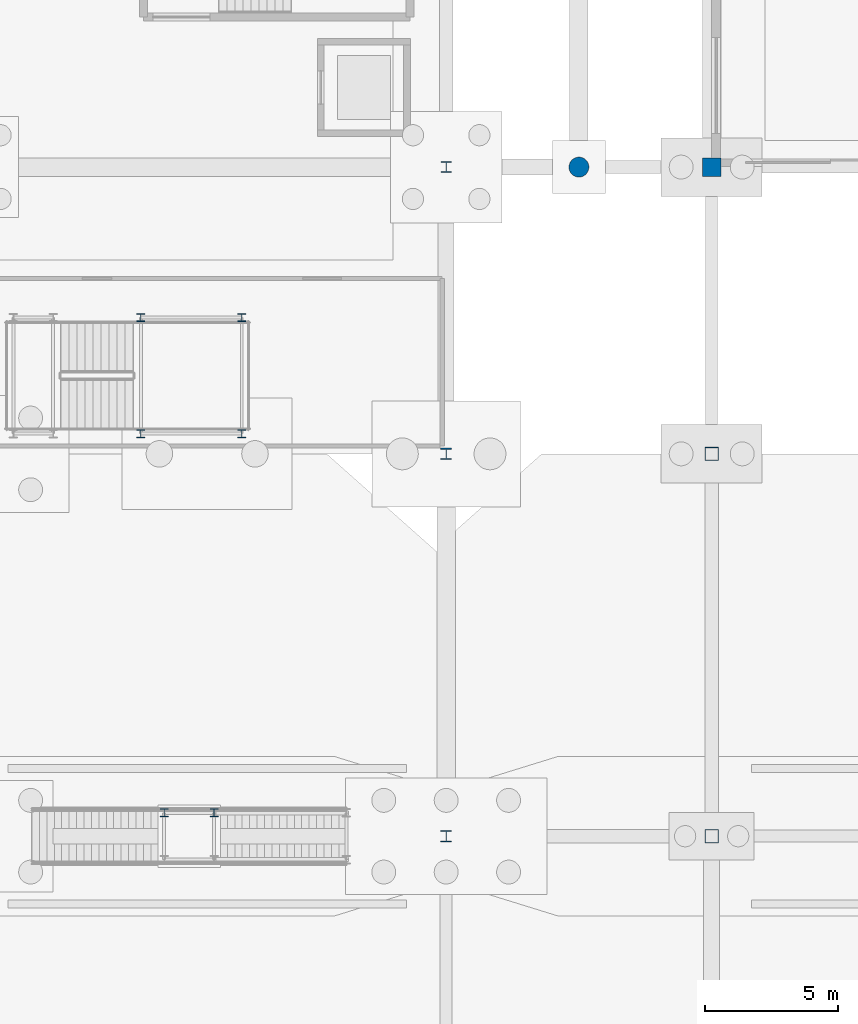
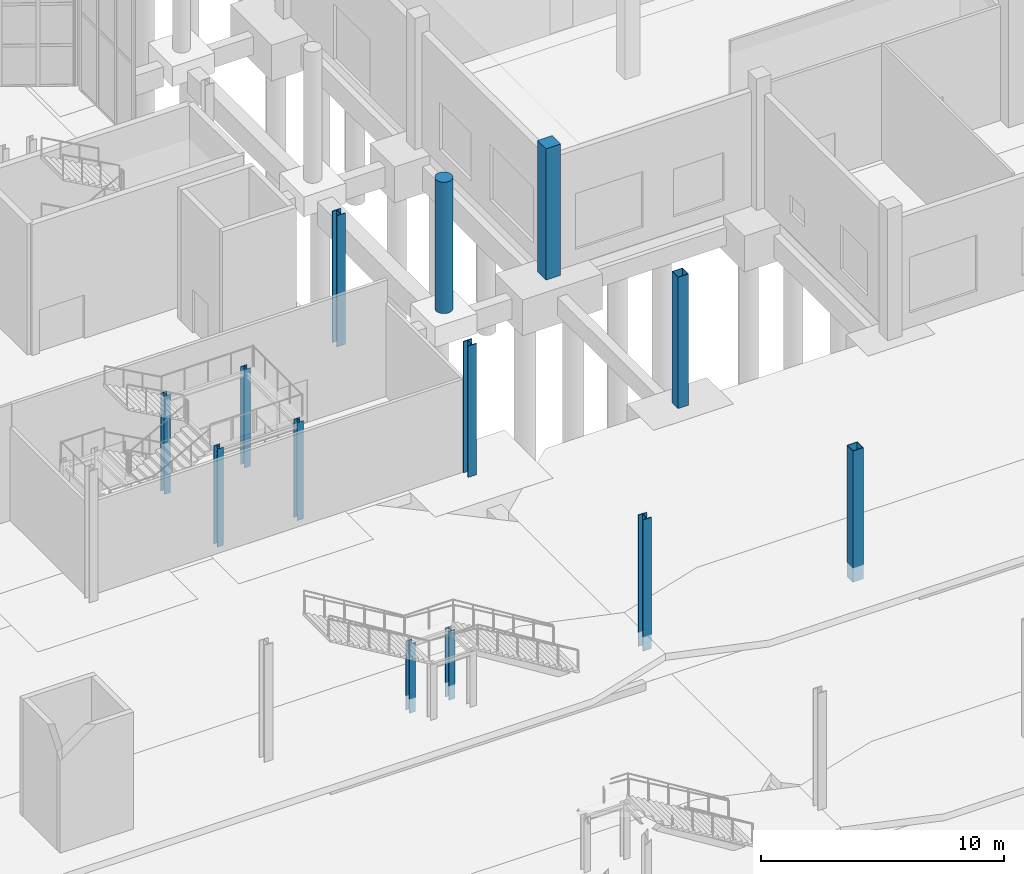
# One storey, part 22 of 115: 13 columns.
"""IFC4 building model written with IfcOpenShell, lengths in metres."""

from ifc_helpers import new_model, si_unit, direction, frame, origin, origin_2d, place, context, subcontext, project, spatial, rectangle, hollow_rectangle, circle, i_section, extrude, material, material_profile, profile_set, type_object, element, save


model = new_model("IFC4")

# Units and contexts
model_context = context("Model", 3, precision=1e-05, world=origin(), true_north=direction((0.0, 1.0)))
body_context = subcontext(model_context, "Body", "Model", "MODEL_VIEW")
ifc_project = project(units=[si_unit("LENGTHUNIT", "METRE"), si_unit("AREAUNIT", "SQUARE_METRE"), si_unit("VOLUMEUNIT", "CUBIC_METRE"), si_unit("PLANEANGLEUNIT", "RADIAN"), si_unit("MASSUNIT", "GRAM", prefix="KILO")], contexts=[model_context])

# Site, building, storey
site_placement = place(None, origin())
site = spatial("IfcSite", under=ifc_project, at=site_placement, CompositionType="ELEMENT")
building_placement = place(site_placement, origin())
building = spatial("IfcBuilding", under=site, at=building_placement, Name="Tamarisk Ironworks Central Station", CompositionType="ELEMENT")
storey_placement = place(building_placement, origin())
storey = spatial("IfcBuildingStorey", under=building, at=storey_placement, Name="L00", CompositionType="ELEMENT", Elevation=0.0)

# Columns
ifc_material_1 = material(Name="Concrete C50/60", Category="concrete")
ifc_material_profile_1 = material_profile(ifc_material_1, rectangle(XDim=0.699951171875, YDim=0.699951171875, at=origin_2d()), Name="RC 700x700")
ifc_profile_set_1 = profile_set([ifc_material_profile_1], Name="Concrete C50/60")
column_type_1 = type_object("IfcColumnType", Name="COL-RC02", PredefinedType="COLUMN", material=ifc_profile_set_1)
column_1_placement = place(storey_placement, frame((118.0, 90.0, 0.0), z_axis=(0.0, 0.0, 1.0), x_axis=(1.0, 0.0, 0.0)))
element("IfcColumn", 1, at=column_1_placement, inside=storey, type_object=column_type_1, Name="L00 column V5-15H", PredefinedType="COLUMN", context=body_context, shape_type="SweptSolid", body=[
    extrude(rectangle(XDim=0.699951171875, YDim=0.699951171875, at=origin_2d()), origin(), (0.0, 0.0, 1.0), 6.60009765625),
])
ifc_material_profile_2 = material_profile(ifc_material_1, circle(Radius=0.375, at=origin_2d()), Name="RC D750")
ifc_profile_set_2 = profile_set([ifc_material_profile_2], Name="Concrete C50/60")
column_type_2 = type_object("IfcColumnType", Name="COL-RC05", PredefinedType="COLUMN", material=ifc_profile_set_2)
column_2_placement = place(storey_placement, frame((113.0, 90.0, 0.0), z_axis=(0.0, 0.0, 1.0), x_axis=(1.0, 0.0, 0.0)))
element("IfcColumn", 2, at=column_2_placement, inside=storey, type_object=column_type_2, Name="L00 column CN-E1", PredefinedType="COLUMN", context=body_context, shape_type="SweptSolid", body=[
    extrude(circle(Radius=0.375, at=origin_2d()), origin(), (0.0, 0.0, 1.0), 6.60009765625),
])
ifc_material_2 = material(Name="Structural steel S355J2", Category="steel")
ifc_material_profile_3 = material_profile(ifc_material_2, i_section(OverallWidth=0.408935546875, OverallDepth=0.425048828125, WebThickness=0.02490234375, FlangeThickness=0.0390625, at=origin_2d()), Name="HD 400x421")
ifc_profile_set_3 = profile_set([ifc_material_profile_3], Name="Structural steel S355J2")
column_type_3 = type_object("IfcColumnType", Name="COL-S01", PredefinedType="COLUMN", material=ifc_profile_set_3)
for number, where, z_axis, x_axis, name in (
    (3, (108.0, 64.800048828125, 0.0), (0.0, 0.0, 1.0), (1.0, 0.0, 0.0), "L00 column V2-14F"),
    (4, (108.0, 79.199951171875, 0.0), (0.0, 0.0, 1.0), (1.0, 0.0, 0.0), "L00 column V2-14G"),
):
    element("IfcColumn", number, at=place(storey_placement, frame(where, z_axis=z_axis, x_axis=x_axis)), inside=storey, type_object=column_type_3, Name=name, PredefinedType="COLUMN", context=body_context, shape_type="SweptSolid", body=[
        extrude(i_section(OverallWidth=0.408935546875, OverallDepth=0.425048828125, WebThickness=0.02490234375, FlangeThickness=0.0390625, at=origin_2d()), origin(), (0.0, 0.0, 1.0), 6.60009765625),
    ])
ifc_material_profile_4 = material_profile(ifc_material_2, i_section(OverallWidth=0.404052734375, OverallDepth=0.406982421875, WebThickness=0.020751953125, FlangeThickness=0.031982421875, at=origin_2d()), Name="HD 400x347")
ifc_profile_set_4 = profile_set([ifc_material_profile_4], Name="Structural steel S355J2")
column_type_4 = type_object("IfcColumnType", Name="COL-S03", PredefinedType="COLUMN", material=ifc_profile_set_4)
column_3_placement = place(storey_placement, frame((108.0, 90.0, 0.0), z_axis=(0.0, 0.0, 1.0), x_axis=(1.0, 0.0, 0.0)))
element("IfcColumn", 5, at=column_3_placement, inside=storey, type_object=column_type_4, Name="L00 column V2-14H", PredefinedType="COLUMN", context=body_context, shape_type="SweptSolid", body=[
    extrude(i_section(OverallWidth=0.404052734375, OverallDepth=0.406982421875, WebThickness=0.020751953125, FlangeThickness=0.031982421875, at=origin_2d()), origin(), (0.0, 0.0, 1.0), 6.60009765625),
])
ifc_material_profile_5 = material_profile(ifc_material_2, i_section(OverallWidth=0.300048828125, OverallDepth=0.300048828125, WebThickness=0.010986328125, FlangeThickness=0.01904296875, at=origin_2d()), Name="HEB 300")
ifc_profile_set_5 = profile_set([ifc_material_profile_5], Name="Structural steel S355J2")
column_type_5 = type_object("IfcColumnType", Name="COL-S12", PredefinedType="COLUMN", material=ifc_profile_set_5)
for number, where, z_axis, x_axis, name in (
    (6, (96.5, 79.965087890625, 0.0), (0.0, 0.0, 1.0), (1.0, 0.0, 0.0), "ST-TH2 landing support post Z2-1"),
    (7, (100.300048828125, 79.965087890625, 0.0), (0.0, 0.0, 1.0), (1.0, 0.0, 0.0), "ST-TH2 landing support post Z2-2"),
    (8, (96.5, 84.3349609375, 0.0), (0.0, 0.0, 1.0), (1.0, 0.0, 0.0), "ST-TH2 landing support post Z2-3"),
    (9, (100.300048828125, 84.3349609375, 0.0), (0.0, 0.0, 1.0), (1.0, 0.0, 0.0), "ST-TH2 landing support post Z2-4"),
):
    element("IfcColumn", number, at=place(storey_placement, frame(where, z_axis=z_axis, x_axis=x_axis)), inside=storey, type_object=column_type_5, Name=name, PredefinedType="COLUMN", context=body_context, shape_type="SweptSolid", body=[
        extrude(i_section(OverallWidth=0.300048828125, OverallDepth=0.300048828125, WebThickness=0.010986328125, FlangeThickness=0.01904296875, at=origin_2d()), origin(), (0.0, 0.0, 1.0), 4.929931640625),
    ])
for number, where, z_axis, x_axis, name in (
    (10, (97.3798828125, 65.679931640625, 0.0), (0.0, 0.0, 1.0), (1.0, 0.0, 0.0), "ST-P4B mid-landing support column 3"),
    (11, (99.260009765625, 65.679931640625, 0.0), (0.0, 0.0, 1.0), (1.0, 0.0, 0.0), "ST-P4B mid-landing support column 4"),
):
    element("IfcColumn", number, at=place(storey_placement, frame(where, z_axis=z_axis, x_axis=x_axis)), inside=storey, type_object=column_type_5, Name=name, PredefinedType="COLUMN", context=body_context, shape_type="SweptSolid", body=[
        extrude(i_section(OverallWidth=0.300048828125, OverallDepth=0.300048828125, WebThickness=0.010986328125, FlangeThickness=0.01904296875, at=origin_2d()), origin(), (0.0, 0.0, 1.0), 3.469970703125),
    ])
ifc_material_3 = material(Name="Structural steel S355J2H", Category="steel")
ifc_material_profile_6 = material_profile(ifc_material_3, hollow_rectangle(XDim=0.5, YDim=0.5, WallThickness=0.02001953125, at=origin_2d()), Name="SHS 500x500x20")
ifc_profile_set_6 = profile_set([ifc_material_profile_6], Name="Structural steel S355J2H")
column_type_6 = type_object("IfcColumnType", Name="COL-S13", PredefinedType="COLUMN", material=ifc_profile_set_6)
for number, where, z_axis, x_axis, name in (
    (12, (118.0, 64.800048828125, 0.0), (0.0, 0.0, 1.0), (1.0, 0.0, 0.0), "L00 column V1-15F"),
    (13, (118.0, 79.199951171875, 0.0), (0.0, 0.0, 1.0), (1.0, 0.0, 0.0), "L00 column V1-15G"),
):
    element("IfcColumn", number, at=place(storey_placement, frame(where, z_axis=z_axis, x_axis=x_axis)), inside=storey, type_object=column_type_6, Name=name, PredefinedType="COLUMN", context=body_context, shape_type="SweptSolid", body=[
        extrude(hollow_rectangle(XDim=0.5, YDim=0.5, WallThickness=0.02001953125, at=origin_2d()), origin(), (0.0, 0.0, 1.0), 6.60009765625),
    ])

save(model, "model.ifc")
